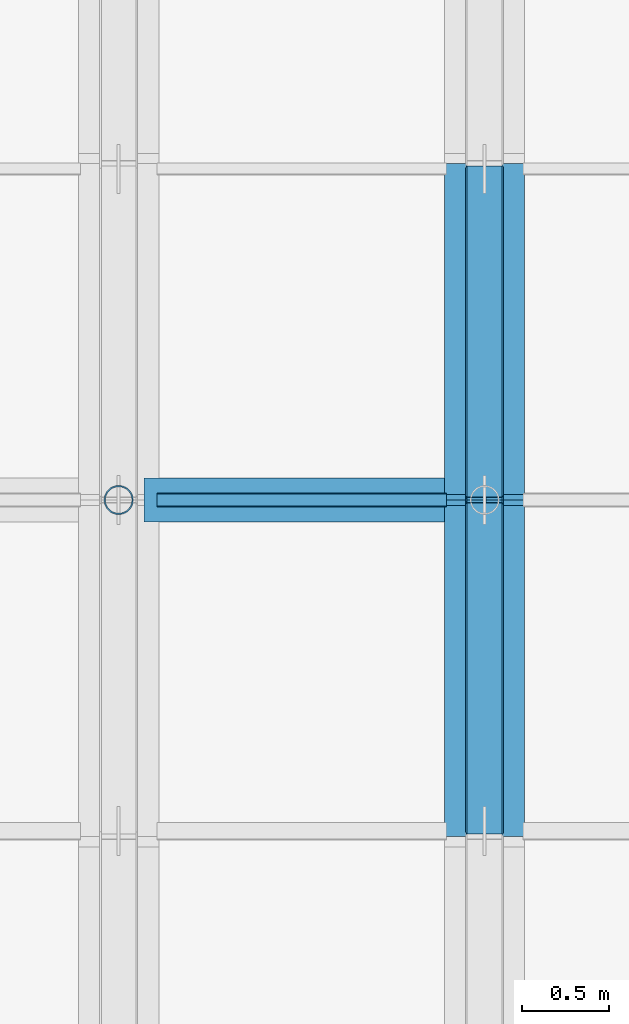
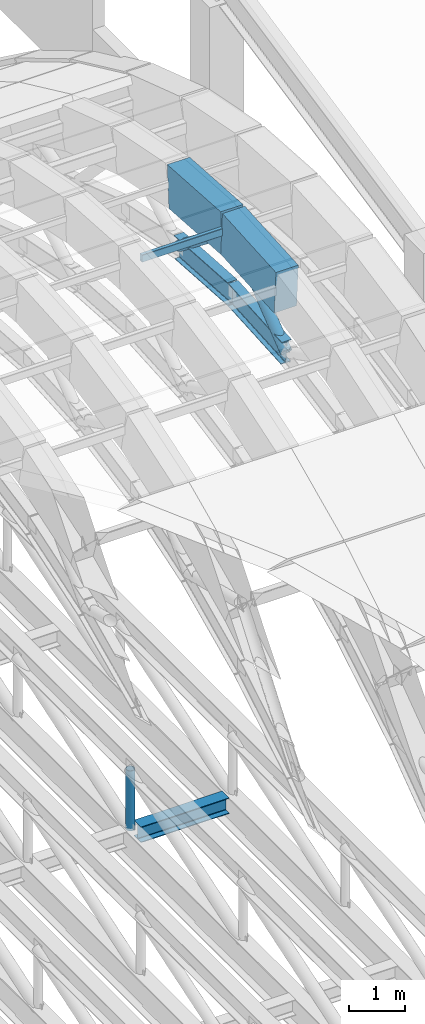
# One storey, part 40 of 67: 5 beams, 4 members.
"""IFC4 building model written with IfcOpenShell, lengths in metres."""

from ifc_helpers import new_model, si_unit, direction, frame, origin, origin_2d, place, context, subcontext, project, spatial, rectangle, hollow_rectangle, hollow_circle, i_section, extrude, material, material_profile, profile_set, type_object, element, save


model = new_model("IFC4")

# Units and contexts
model_context = context("Model", 3, precision=1e-05, world=origin(), true_north=direction((0.0, 1.0)))
body_context = subcontext(model_context, "Body", "Model", "MODEL_VIEW")
ifc_project = project(units=[si_unit("LENGTHUNIT", "METRE"), si_unit("AREAUNIT", "SQUARE_METRE"), si_unit("VOLUMEUNIT", "CUBIC_METRE"), si_unit("PLANEANGLEUNIT", "RADIAN"), si_unit("MASSUNIT", "GRAM", prefix="KILO")], contexts=[model_context])

# Site, building, storey
site_placement = place(None, origin())
site = spatial("IfcSite", under=ifc_project, at=site_placement, CompositionType="ELEMENT")
building_placement = place(site_placement, origin())
building = spatial("IfcBuilding", under=site, at=building_placement, Name="Shengluoqiao Park Theatre", CompositionType="ELEMENT")
storey_placement = place(building_placement, frame((0.0, 0.0, 28.60009765625)))
storey = spatial("IfcBuildingStorey", under=building, at=storey_placement, Name="Roof", CompositionType="ELEMENT", Elevation=28.60009765625)

# Beams
ifc_material_1 = material(Name="Concrete C50", Category="concrete")
ifc_material_profile_1 = material_profile(ifc_material_1, rectangle(XDim=0.4599609375, YDim=0.919921875, at=origin_2d()), Name="RC ARCH 460x920")
ifc_profile_set_1 = profile_set([ifc_material_profile_1], Name="Concrete C50")
beam_type_1 = type_object("IfcBeamType", Name="STR-BM-AR-4609", PredefinedType="BEAM", material=ifc_profile_set_1)
for number, where, z_axis, x_axis, name in (
    (1, (84.300048828125, 93.10009765625, 2.453857421875), (0.0, 0.997808922354, 0.066161578506), (-1.0, 0.0, 0.0), "Barrel-Shell Arch Rib R20-S10"),
    (2, (84.300048828125, 95.0, 2.579833984375), (0.0, 0.997808922354, -0.066161578506), (-1.0, 0.0, 0.0), "Barrel-Shell Arch Rib R20-S11"),
):
    element("IfcBeam", number, at=place(storey_placement, frame(where, z_axis=z_axis, x_axis=x_axis)), inside=storey, type_object=beam_type_1, Name=name, PredefinedType="BEAM", context=body_context, shape_type="SweptSolid", body=[
        extrude(rectangle(XDim=0.4599609375, YDim=0.919921875, at=origin_2d()), origin(), (0.0, 0.0, 1.0), 1.904052734375),
    ])
ifc_material_2 = material(Name="Steel Q355", Category="steel")
ifc_material_profile_2 = material_profile(ifc_material_2, i_section(OverallWidth=0.25, OverallDepth=0.340087890625, WebThickness=0.009033203125, FlangeThickness=0.013916015625, FilletRadius=0.01611328125, at=origin_2d()), Name="HM 340x250x9x14")
ifc_profile_set_2 = profile_set([ifc_material_profile_2], Name="Steel Q355")
beam_type_2 = type_object("IfcBeamType", Name="STR-BM-G-HM340", PredefinedType="BEAM", material=ifc_profile_set_2)
beam_placement = place(storey_placement, frame((82.343994140625, 95.0, -9.77001953125), z_axis=(1.0, 0.0, 0.0), x_axis=(0.0, 1.0, 0.0)))
element("IfcBeam", 3, at=beam_placement, inside=storey, type_object=beam_type_2, Name="Auditorium Overhead Catwalk Girder R19-3", PredefinedType="BEAM", context=body_context, shape_type="SweptSolid", body=[
    extrude(i_section(OverallWidth=0.25, OverallDepth=0.340087890625, WebThickness=0.009033203125, FlangeThickness=0.013916015625, FilletRadius=0.01611328125, at=origin_2d()), origin(), (0.0, 0.0, 1.0), 1.81201171875),
])
ifc_material_profile_3 = material_profile(ifc_material_2, i_section(OverallWidth=0.199951171875, OverallDepth=0.5, WebThickness=0.010009765625, FlangeThickness=0.01611328125, FilletRadius=0.01806640625, at=origin_2d()), Name="HN 500x200x10x16")
ifc_profile_set_3 = profile_set([ifc_material_profile_3], Name="Steel Q355")
beam_type_3 = type_object("IfcBeamType", Name="STR-BM-J-HN500", PredefinedType="JOIST", material=ifc_profile_set_3)
for number, where, z_axis, x_axis, name in (
    (4, (84.300048828125, 93.10009765625, 1.093994140625), (0.0, 0.997808922354, 0.066161578506), (-1.0, 0.0, 0.0), "Barrel-Shell Lower Arch Chord R20-S10"),
    (5, (84.300048828125, 95.0, 1.219970703125), (0.0, 0.997808922354, -0.066161578506), (-1.0, 0.0, 0.0), "Barrel-Shell Lower Arch Chord R20-S11"),
):
    element("IfcBeam", number, at=place(storey_placement, frame(where, z_axis=z_axis, x_axis=x_axis)), inside=storey, type_object=beam_type_3, Name=name, PredefinedType="JOIST", context=body_context, shape_type="SweptSolid", body=[
        extrude(i_section(OverallWidth=0.199951171875, OverallDepth=0.5, WebThickness=0.010009765625, FlangeThickness=0.01611328125, FilletRadius=0.01806640625, at=origin_2d()), origin(), (0.0, 0.0, 1.0), 1.904052734375),
    ])

# Members
ifc_material_profile_4 = material_profile(ifc_material_2, hollow_circle(Radius=0.109619140625, WallThickness=0.010009765625, at=origin_2d()), Name="CHS 219x10")
ifc_profile_set_4 = profile_set([ifc_material_profile_4], Name="Steel Q355")
member_type_1 = type_object("IfcMemberType", Name="STR-MEM-BRC-219", PredefinedType="BRACE", material=ifc_profile_set_4)
for number, where, z_axis, x_axis, name in (
    (6, (84.300048828125, 93.10009765625, 1.093994140625), (0.0, 0.787714283449, 0.616040751615), (-1.0, 0.0, 0.0), "Barrel-Shell Arch Truss Web 0390"),
    (7, (84.300048828125, 95.0, 2.579833984375), (0.0, 0.787714283449, -0.616040751615), (-1.0, 0.0, 0.0), "Barrel-Shell Arch Truss Web 0391"),
):
    element("IfcMember", number, at=place(storey_placement, frame(where, z_axis=z_axis, x_axis=x_axis)), inside=storey, type_object=member_type_1, Name=name, PredefinedType="BRACE", context=body_context, shape_type="SweptSolid", body=[
        extrude(hollow_circle(Radius=0.109619140625, WallThickness=0.010009765625, at=origin_2d()), origin(), (0.0, 0.0, 1.0), 2.411865234375),
    ])
ifc_material_profile_5 = material_profile(ifc_material_2, hollow_rectangle(XDim=0.080078125, YDim=0.159912109375, WallThickness=0.006103515625, InnerFilletRadius=0.006103515625, OuterFilletRadius=0.011962890625, at=origin_2d()), Name="RHS 160x80x6")
ifc_profile_set_5 = profile_set([ifc_material_profile_5], Name="Steel Q355")
member_type_2 = type_object("IfcMemberType", Name="STR-MEM-PU-R160", PredefinedType="PURLIN", material=ifc_profile_set_5)
member_1_placement = place(storey_placement, frame((82.419921875, 95.0, 2.639892578125), z_axis=(1.0, 0.0, 0.0), x_axis=(0.0, 1.0, 0.0)))
element("IfcMember", 8, at=member_1_placement, inside=storey, type_object=member_type_2, Name="Shell Longitudinal Purlin 0352", PredefinedType="PURLIN", context=body_context, shape_type="SweptSolid", body=[
    extrude(hollow_rectangle(XDim=0.080078125, YDim=0.159912109375, WallThickness=0.006103515625, InnerFilletRadius=0.006103515625, OuterFilletRadius=0.011962890625, at=origin_2d()), origin(), (0.0, 0.0, 1.0), 1.66015625),
])
ifc_material_profile_6 = material_profile(ifc_material_2, hollow_circle(Radius=0.083984375, WallThickness=0.008056640625, at=origin_2d()), Name="CHS 168x8")
ifc_profile_set_6 = profile_set([ifc_material_profile_6], Name="Steel Q355")
member_type_3 = type_object("IfcMemberType", Name="STR-MEM-STC-168", PredefinedType="STRUT", material=ifc_profile_set_6)
member_2_placement = place(storey_placement, frame((82.199951171875, 95.0, -9.650146484375), z_axis=(0.0, 0.0, 1.0), x_axis=(1.0, 0.0, 0.0)))
element("IfcMember", 9, at=member_2_placement, inside=storey, type_object=member_type_3, Name="Acoustic Tie Truss Strut 0158", PredefinedType="STRUT", context=body_context, shape_type="SweptSolid", body=[
    extrude(hollow_circle(Radius=0.083984375, WallThickness=0.008056640625, at=origin_2d()), origin(), (0.0, 0.0, 1.0), 1.300048828125),
])

save(model, "model.ifc")
